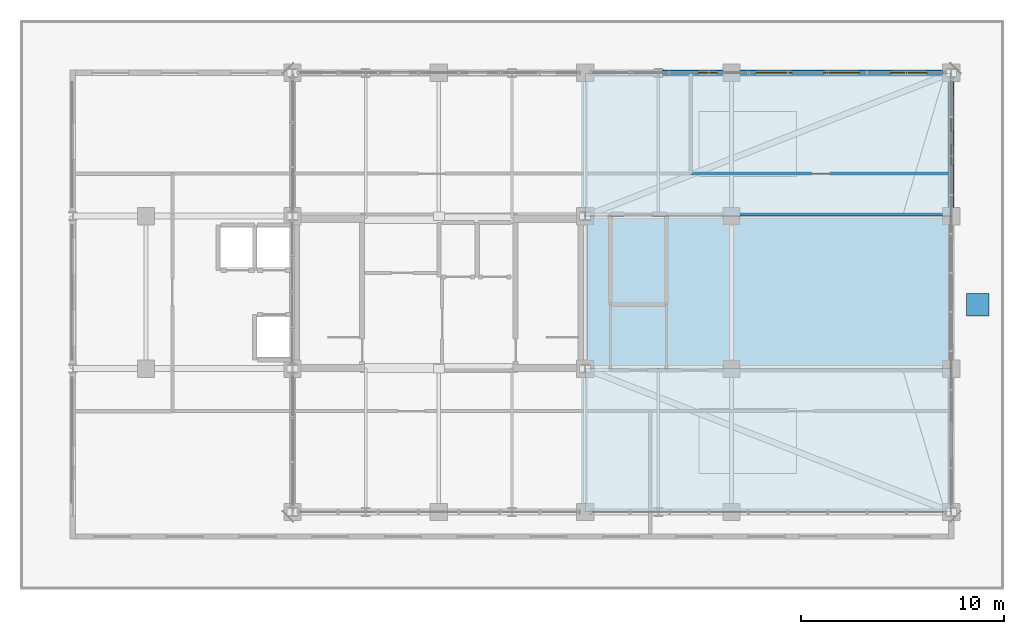
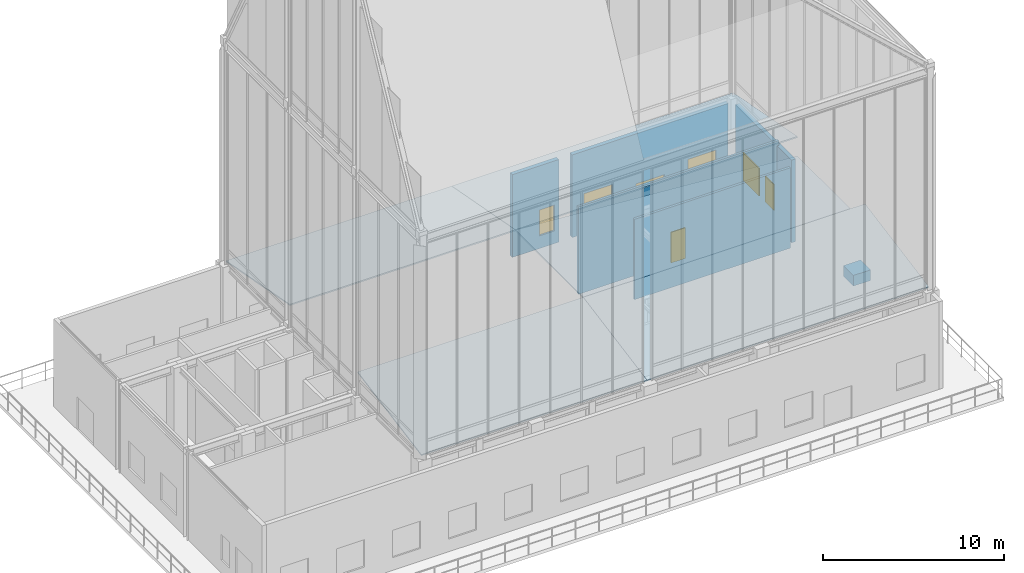
# One storey, part 48 of 49: 5 roofs, 5 walls, 5 windows, 2 doors, 1 discrete accessory, 7 openings.
"""IFC4 building model written with IfcOpenShell, lengths in metres."""

from ifc_helpers import new_model, si_unit, direction, frame, frame_2d, origin, origin_2d, place, context, subcontext, project, spatial, polyline, rectangle, outline, extrude, source, transform, mapped, material, layer, layer_set, type_object, element, fill, save


model = new_model("IFC4")

# Units and contexts
model_context = context("Model", 3, precision=1e-05, world=origin(), true_north=direction((0.0, 1.0)))
body_context = subcontext(model_context, "Body", "Model", "MODEL_VIEW")
ifc_project = project(units=[si_unit("LENGTHUNIT", "METRE"), si_unit("AREAUNIT", "SQUARE_METRE"), si_unit("VOLUMEUNIT", "CUBIC_METRE"), si_unit("PLANEANGLEUNIT", "RADIAN"), si_unit("MASSUNIT", "GRAM", prefix="KILO")], contexts=[model_context])

# Site, building, storey
site_placement = place(None, origin())
site = spatial("IfcSite", under=ifc_project, at=site_placement, CompositionType="ELEMENT")
building_placement = place(site_placement, origin())
building = spatial("IfcBuilding", under=site, at=building_placement, Name="Kaliganga Portal Commons", CompositionType="ELEMENT")
storey_placement = place(building_placement, frame((0.0, 0.0, 298.0)))
storey = spatial("IfcBuildingStorey", under=building, at=storey_placement, Name="L77", CompositionType="ELEMENT", Elevation=298.0)

# Wall, openings, windows
ifc_material_1 = material(Name="Insulated Aluminium-Clad Spandrel Assembly", Category="aluminium")
ifc_layer_1 = layer(ifc_material_1, 0.260009765625)
ifc_layer_set_1 = layer_set([ifc_layer_1], Name="Insulated Aluminium-Clad Spandrel Assembly")
wall_type_1 = type_object("IfcWallType", Name="WL-EXT-SPAND-260", PredefinedType="STANDARD", material=ifc_layer_set_1)
wall_1_placement = place(storey_placement, frame((46.800048828125, 42.77392578125, 0.0), z_axis=(0.0, 0.0, 1.0), x_axis=(0.0, -1.0, 0.0)))
wall_1 = element("IfcWall", 1, at=wall_1_placement, inside=storey, type_object=wall_type_1, Name="Exterior Envelope Wall L77 P1-E01-S4", PredefinedType="STANDARD", context=body_context, shape_type="SweptSolid", body=[
    extrude(rectangle(XDim=6.197998046875, YDim=0.260009765625, at=frame_2d((3.09912109375, 0.0))), origin(), (0.0, 0.0, 1.0), 5.580078125),
])
opening_1_placement = place(wall_1_placement, frame((0.6494140625, 0.0, 0.85009765625)))
opening_1 = element("IfcOpeningElement", 2, at=opening_1_placement, cuts=wall_1, Name="Opening W-01", PredefinedType="OPENING", context=body_context, shape_type="SweptSolid", body=[
    extrude(rectangle(XDim=1.800048828125, YDim=1.85009765625, at=frame_2d((0.89990234375, 0.925048828125))), frame((0.0, 0.14013671875, 0.0), z_axis=(0.0, -1.0, 0.0), x_axis=(1.0, 0.0, 0.0)), (0.0, 0.0, 1.0), 0.280029296875),
])
opening_2_placement = place(wall_1_placement, frame((3.119873046875, 0.0, 0.85009765625)))
opening_2 = element("IfcOpeningElement", 3, at=opening_2_placement, cuts=wall_1, Name="Opening W-04", PredefinedType="OPENING", context=body_context, shape_type="SweptSolid", body=[
    extrude(rectangle(XDim=0.949951171875, YDim=1.75, at=frame_2d((0.47509765625, 0.875))), frame((0.0, 0.14013671875, 0.0), z_axis=(0.0, -1.0, 0.0), x_axis=(1.0, 0.0, 0.0)), (0.0, 0.0, 1.0), 0.280029296875),
])
ifc_material_2 = material(Name="Thermally Broken Aluminium and Low-E Double Glazing", Category="aluminium")
window_type_1 = type_object("IfcWindowType", Name="WIN-NARROW-950", PartitioningType="SINGLE_PANEL", PredefinedType="WINDOW", material=ifc_material_2)
window_1_placement = place(opening_2_placement, origin())
window_1 = element("IfcWindow", 4, at=window_1_placement, inside=storey, type_object=window_type_1, Name="Facade Window L77-P1E01S4-N6", OverallHeight=1.75, OverallWidth=0.949951171875, PartitioningType="SINGLE_PANEL", PredefinedType="WINDOW", context=body_context, shape_type="SweptSolid", body=[
    extrude(rectangle(XDim=0.949951171875, YDim=1.75, at=frame_2d((0.47509765625, 0.875))), frame((0.0, 0.030029296875, 0.0), z_axis=(0.0, -1.0, 0.0), x_axis=(1.0, 0.0, 0.0)), (0.0, 0.0, 1.0), 0.06005859375),
])
fill(opening_2, window_1)
window_type_2 = type_object("IfcWindowType", Name="WIN-STD-1800", PartitioningType="DOUBLE_PANEL_VERTICAL", PredefinedType="WINDOW", material=ifc_material_2)
window_2_placement = place(opening_1_placement, origin())
window_2 = element("IfcWindow", 5, at=window_2_placement, inside=storey, type_object=window_type_2, Name="Facade Window L77-P1E01S4-00", OverallHeight=1.85009765625, OverallWidth=1.800048828125, PartitioningType="SINGLE_PANEL", PredefinedType="WINDOW", context=body_context, shape_type="SweptSolid", body=[
    extrude(rectangle(XDim=1.800048828125, YDim=1.85009765625, at=frame_2d((0.89990234375, 0.925048828125))), frame((0.0, 0.030029296875, 0.0), z_axis=(0.0, -1.0, 0.0), x_axis=(1.0, 0.0, 0.0)), (0.0, 0.0, 1.0), 0.06005859375),
])
fill(opening_1, window_2)

# Wall, openings, door, windows
wall_2_placement = place(storey_placement, frame((36.426025390625, 43.199951171875, 0.0), z_axis=(0.0, 0.0, 1.0), x_axis=(1.0, 0.0, 0.0)))
wall_2 = element("IfcWall", 6, at=wall_2_placement, inside=storey, type_object=wall_type_1, Name="Exterior Envelope Wall L77 P1-E02-S1", PredefinedType="STANDARD", context=body_context, shape_type="SweptSolid", body=[
    extrude(rectangle(XDim=9.947998046875, YDim=0.260009765625, at=frame_2d((4.97412109375, 0.0))), origin(), (0.0, 0.0, 1.0), 5.580078125),
])
opening_3_placement = place(wall_2_placement, frame((4.073974609375, 0.0, 0.0)))
opening_3 = element("IfcOpeningElement", 7, at=opening_3_placement, cuts=wall_2, Name="Opening TD-01", PredefinedType="OPENING", context=body_context, shape_type="SweptSolid", body=[
    extrude(rectangle(XDim=1.800048828125, YDim=2.199951171875, at=frame_2d((0.89990234375, 1.10009765625))), frame((0.0, 0.14013671875, 0.0), z_axis=(0.0, -1.0, 0.0), x_axis=(1.0, 0.0, 0.0)), (0.0, 0.0, 1.0), 0.280029296875),
])
opening_4_placement = place(wall_2_placement, frame((0.758056640625, 0.0, 0.85009765625)))
opening_4 = element("IfcOpeningElement", 8, at=opening_4_placement, cuts=wall_2, Name="Opening W-01", PredefinedType="OPENING", context=body_context, shape_type="SweptSolid", body=[
    extrude(rectangle(XDim=1.800048828125, YDim=1.85009765625, at=frame_2d((0.89990234375, 0.925048828125))), frame((0.0, 0.14013671875, 0.0), z_axis=(0.0, -1.0, 0.0), x_axis=(1.0, 0.0, 0.0)), (0.0, 0.0, 1.0), 0.280029296875),
])
opening_5_placement = place(wall_2_placement, frame((7.389892578125, 0.0, 0.85009765625)))
opening_5 = element("IfcOpeningElement", 9, at=opening_5_placement, cuts=wall_2, Name="Opening W-01", PredefinedType="OPENING", context=body_context, shape_type="SweptSolid", body=[
    extrude(rectangle(XDim=1.800048828125, YDim=1.85009765625, at=frame_2d((0.89990234375, 0.925048828125))), frame((0.0, 0.14013671875, 0.0), z_axis=(0.0, -1.0, 0.0), x_axis=(1.0, 0.0, 0.0)), (0.0, 0.0, 1.0), 0.280029296875),
])
ifc_material_3 = material(Name="Anodized Aluminium and Laminated Safety Glass", Category="aluminium")
door_type_1 = type_object("IfcDoorType", Name="DR-TERR-1800", OperationType="DOUBLE_DOOR_SINGLE_SWING", PredefinedType="DOOR", material=ifc_material_3)
door_1_placement = place(opening_3_placement, origin())
door_1 = element("IfcDoor", 10, at=door_1_placement, inside=storey, type_object=door_type_1, Name="Lookout Deck Access Door OD-1", OperationType="DOUBLE_DOOR_SINGLE_SWING", OverallHeight=2.199951171875, OverallWidth=1.800048828125, PredefinedType="DOOR", context=body_context, shape_type="SweptSolid", body=[
    extrude(rectangle(XDim=1.800048828125, YDim=2.199951171875, at=frame_2d((0.89990234375, 1.10009765625))), frame((0.0, 0.02490234375, 0.0), z_axis=(0.0, -1.0, 0.0), x_axis=(1.0, 0.0, 0.0)), (0.0, 0.0, 1.0), 0.050048828125),
])
fill(opening_3, door_1)
window_3_placement = place(opening_4_placement, origin())
window_3 = element("IfcWindow", 11, at=window_3_placement, inside=storey, type_object=window_type_2, Name="Facade Window L77-P1E02S1-00", OverallHeight=1.85009765625, OverallWidth=1.800048828125, PartitioningType="SINGLE_PANEL", PredefinedType="WINDOW", context=body_context, shape_type="SweptSolid", body=[
    extrude(rectangle(XDim=1.800048828125, YDim=1.85009765625, at=frame_2d((0.89990234375, 0.925048828125))), frame((0.0, 0.030029296875, 0.0), z_axis=(0.0, -1.0, 0.0), x_axis=(1.0, 0.0, 0.0)), (0.0, 0.0, 1.0), 0.06005859375),
])
fill(opening_4, window_3)
window_4_placement = place(opening_5_placement, origin())
window_4 = element("IfcWindow", 12, at=window_4_placement, inside=storey, type_object=window_type_2, Name="Facade Window L77-P1E02S1-02", OverallHeight=1.85009765625, OverallWidth=1.800048828125, PartitioningType="SINGLE_PANEL", PredefinedType="WINDOW", context=body_context, shape_type="SweptSolid", body=[
    extrude(rectangle(XDim=1.800048828125, YDim=1.85009765625, at=frame_2d((0.89990234375, 0.925048828125))), frame((0.0, 0.030029296875, 0.0), z_axis=(0.0, -1.0, 0.0), x_axis=(1.0, 0.0, 0.0)), (0.0, 0.0, 1.0), 0.06005859375),
])
fill(opening_5, window_4)

# Wall, opening, window
wall_3_placement = place(storey_placement, frame((32.60400390625, 43.199951171875, 0.0), z_axis=(0.0, 0.0, 1.0), x_axis=(1.0, 0.0, 0.0)))
wall_3 = element("IfcWall", 13, at=wall_3_placement, inside=storey, type_object=wall_type_1, Name="Exterior Envelope Wall L77 P1-E02-S2", PredefinedType="STANDARD", context=body_context, shape_type="SweptSolid", body=[
    extrude(rectangle(XDim=2.969970703125, YDim=0.260009765625, at=frame_2d((1.48486328125, 0.0))), origin(), (0.0, 0.0, 1.0), 5.580078125),
])
opening_6_placement = place(wall_3_placement, frame((1.74658203125, 0.0, 0.85009765625)))
opening_6 = element("IfcOpeningElement", 14, at=opening_6_placement, cuts=wall_3, Name="Opening W-04", PredefinedType="OPENING", context=body_context, shape_type="SweptSolid", body=[
    extrude(rectangle(XDim=0.949951171875, YDim=1.75, at=frame_2d((0.47509765625, 0.875))), frame((0.0, 0.14013671875, 0.0), z_axis=(0.0, -1.0, 0.0), x_axis=(1.0, 0.0, 0.0)), (0.0, 0.0, 1.0), 0.280029296875),
])
window_5_placement = place(opening_6_placement, origin())
window_5 = element("IfcWindow", 15, at=window_5_placement, inside=storey, type_object=window_type_1, Name="Facade Window L77-P1E02S2-N2", OverallHeight=1.75, OverallWidth=0.949951171875, PartitioningType="SINGLE_PANEL", PredefinedType="WINDOW", context=body_context, shape_type="SweptSolid", body=[
    extrude(rectangle(XDim=0.949951171875, YDim=1.75, at=frame_2d((0.47509765625, 0.875))), frame((0.0, 0.030029296875, 0.0), z_axis=(0.0, -1.0, 0.0), x_axis=(1.0, 0.0, 0.0)), (0.0, 0.0, 1.0), 0.06005859375),
])
fill(opening_6, window_5)

# Wall
ifc_material_4 = material(Name="Fire-Rated Gypsum Board on Steel Stud", Category="steel")
ifc_layer_2 = layer(ifc_material_4, 0.14990234375)
ifc_layer_set_2 = layer_set([ifc_layer_2], Name="Fire-Rated Gypsum Board on Steel Stud")
wall_type_2 = type_object("IfcWallType", Name="WL-PART-CORR-150", PredefinedType="PARTITIONING", material=ifc_layer_set_2)
wall_4_placement = place(storey_placement, frame((36.425048828125, 36.239990234375, 0.0), z_axis=(0.0, 0.0, 1.0), x_axis=(1.0, 0.0, 0.0)))
element("IfcWall", 16, at=wall_4_placement, inside=storey, type_object=wall_type_2, Name="Interior Partition L77-007", PredefinedType="PARTITIONING", context=body_context, shape_type="SweptSolid", body=[
    extrude(rectangle(XDim=9.949951171875, YDim=0.14990234375, at=frame_2d((4.97509765625, 0.0))), origin(), (0.0, 0.0, 1.0), 5.429931640625),
])

# Wall, opening, door
wall_5_placement = place(storey_placement, frame((34.0, 38.239990234375, 0.0), z_axis=(0.0, 0.0, 1.0), x_axis=(1.0, 0.0, 0.0)))
wall_5 = element("IfcWall", 17, at=wall_5_placement, inside=storey, type_object=wall_type_2, Name="Interior Partition L77-008", PredefinedType="PARTITIONING", context=body_context, shape_type="SweptSolid", body=[
    extrude(rectangle(XDim=12.780029296875, YDim=0.14990234375, at=frame_2d((6.39013671875, 0.0))), origin(), (0.0, 0.0, 1.0), 5.89990234375),
])
opening_7_placement = place(wall_5_placement, frame((5.93994140625, 0.0, 0.0)))
opening_7 = element("IfcOpeningElement", 18, at=opening_7_placement, cuts=wall_5, Name="Opening RD-01", PredefinedType="OPENING", context=body_context, shape_type="SweptSolid", body=[
    extrude(rectangle(XDim=0.89990234375, YDim=2.080078125, at=frame_2d((0.449951171875, 1.0400390625))), frame((0.0, 0.0849609375, 0.0), z_axis=(0.0, -1.0, 0.0), x_axis=(1.0, 0.0, 0.0)), (0.0, 0.0, 1.0), 0.169921875),
])
ifc_material_5 = material(Name="Engineered Timber Flush Door", Category="wood")
door_type_2 = type_object("IfcDoorType", Name="DR-ROOM-900", OperationType="NOTDEFINED", PredefinedType="DOOR", material=ifc_material_5)
door_2_placement = place(opening_7_placement, origin())
door_2 = element("IfcDoor", 19, at=door_2_placement, inside=storey, type_object=door_type_2, Name="Interior Door L77-CAFE", OperationType="SINGLE_SWING_RIGHT", OverallHeight=2.080078125, OverallWidth=0.89990234375, PredefinedType="DOOR", context=body_context, shape_type="SweptSolid", body=[
    extrude(rectangle(XDim=0.89990234375, YDim=2.080078125, at=frame_2d((0.449951171875, 1.0400390625))), frame((0.0, 0.02490234375, 0.0), z_axis=(0.0, -1.0, 0.0), x_axis=(1.0, 0.0, 0.0)), (0.0, 0.0, 1.0), 0.050048828125),
])
fill(opening_7, door_2)

# Roofs
ifc_material_6 = material(Name="Standing-Seam Zinc-Aluminium Weathering Roof", Category="aluminium")
ifc_layer_3 = layer(ifc_material_6, 0.080078125)
ifc_layer_set_3 = layer_set([ifc_layer_3], Name="Standing-Seam Zinc-Aluminium Weathering Roof")
roof_type = type_object("IfcRoofType", Name="ROOF-CANOPY-MEMB", PredefinedType="GABLE_ROOF", material=ifc_layer_set_3)
roof_1_placement = place(storey_placement, frame((14.39990234375, 21.60009765625, 6.080078125), z_axis=(0.0, -0.184017240076, 0.982923015986), x_axis=(1.0, 0.0, 0.0)))
element("IfcRoof", 20, at=roof_1_placement, inside=storey, type_object=roof_type, Name="Observatory Canopy Weathering Roof RF-01", PredefinedType="GABLE_ROOF", context=body_context, shape_type="SweptSolid", body=[
    extrude(outline(polyline([(0.0, 0.0), (14.400146484375, 0.0), (14.400146484375, 7.172285695668851), (0.0, 7.172285695668851), (0.0, 0.0)])), origin(), (0.0, 0.0, -1.0), 0.080078125),
])
roof_2_placement = place(storey_placement, frame((28.800048828125, 21.60009765625, 6.080078125), z_axis=(0.0, -0.184017240076, 0.982923015986), x_axis=(1.0, 0.0, 0.0)))
element("IfcRoof", 21, at=roof_2_placement, inside=storey, type_object=roof_type, Name="Observatory Canopy Weathering Roof RF-02", PredefinedType="GABLE_ROOF", context=body_context, shape_type="SweptSolid", body=[
    extrude(outline(polyline([(0.0, 0.0), (18.0, 0.0), (18.0, 7.172285695668851), (0.0, 7.172285695668851), (0.0, 0.0)])), origin(), (0.0, 0.0, -1.0), 0.080078125),
])
roof_3_placement = place(storey_placement, frame((28.800048828125, 43.199951171875, 6.080078125), z_axis=(0.0, 0.184011083401, 0.982924168584), x_axis=(-1.0, 0.0, 0.0)))
element("IfcRoof", 22, at=roof_3_placement, inside=storey, type_object=roof_type, Name="Observatory Canopy Weathering Roof RF-03", PredefinedType="GABLE_ROOF", context=body_context, shape_type="SweptSolid", body=[
    extrude(outline(polyline([(0.0, 0.0), (14.400146484375, 0.0), (14.400146484375, 7.172525667249001), (0.0, 7.172525667249001), (0.0, 0.0)])), origin(), (0.0, 0.0, -1.0), 0.080078125),
])
roof_4_placement = place(storey_placement, frame((46.800048828125, 43.199951171875, 6.080078125), z_axis=(0.0, 0.184011083401, 0.982924168584), x_axis=(-1.0, 0.0, 0.0)))
element("IfcRoof", 23, at=roof_4_placement, inside=storey, type_object=roof_type, Name="Observatory Canopy Weathering Roof RF-04", PredefinedType="GABLE_ROOF", context=body_context, shape_type="SweptSolid", body=[
    extrude(outline(polyline([(0.0, 0.0), (18.0, 0.0), (18.0, 7.172525667249001), (0.0, 7.172525667249001), (0.0, 0.0)])), origin(), (0.0, 0.0, -1.0), 0.080078125),
])
roof_5_placement = place(storey_placement, frame((46.800048828125, 28.64990234375, 6.080078125), z_axis=(0.073127252529, 0.0, 0.997322618282), x_axis=(0.0, 1.0, 0.0)))
element("IfcRoof", 24, at=roof_5_placement, inside=storey, type_object=roof_type, Name="Observatory Canopy Weathering Roof RF-05", PredefinedType="GABLE_ROOF", context=body_context, shape_type="SweptSolid", body=[
    extrude(outline(polyline([(0.0, 0.0), (7.5, 0.0), (7.5, 18.0483222480207), (0.0, 18.0483222480207), (0.0, 0.0)])), origin(), (0.0, 0.0, -1.0), 0.080078125),
])

# Discrete accessory
ifc_material_7 = material(Name="Precast concrete C40/50", Category="concrete")
discrete_accessory_type = type_object("IfcDiscreteAccessoryType", Name="DAC-PLANTER-RC", PredefinedType="USERDEFINED", material=ifc_material_7)
shared_shape = source(origin(), body_context, "Body", "SweptSolid", [
    extrude(rectangle(XDim=1.10009765625, YDim=1.10009765625, at=origin_2d()), origin(), (0.0, 0.0, 1.0), 0.719970703125),
])
discrete_accessory_placement = place(storey_placement, frame((48.10009765625, 31.800048828125, 0.0), z_axis=(0.0, 0.0, 1.0), x_axis=(1.0, 0.0, 0.0)))
element("IfcDiscreteAccessory", 25, at=discrete_accessory_placement, inside=storey, type_object=discrete_accessory_type, Name="Sky-Garden Tree Planter L77 open_lookout_deck", ObjectType="PLANTER", PredefinedType="USERDEFINED", context=body_context, shape_type="MappedRepresentation", body=[
    mapped(shared_shape, transform((0.0, 0.0, 0.0), x_axis=(1.0, 0.0, 0.0), y_axis=(0.0, 1.0, 0.0), z_axis=(0.0, 0.0, 1.0), scale=1.0)),
])

save(model, "model.ifc")
